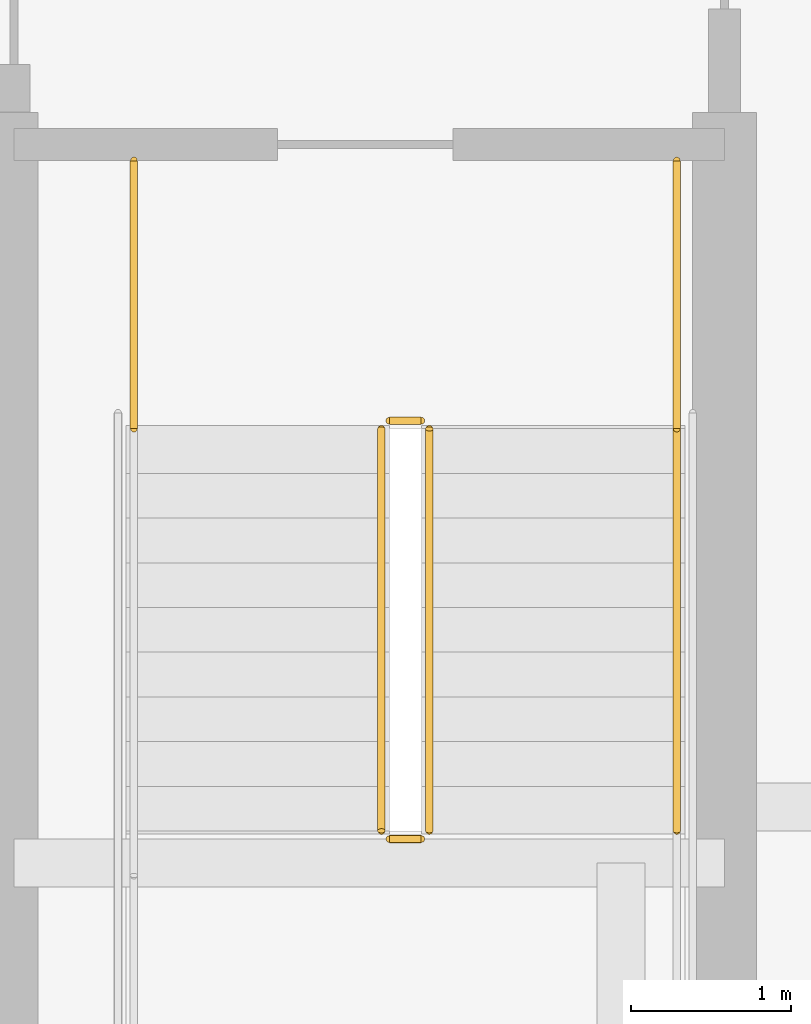
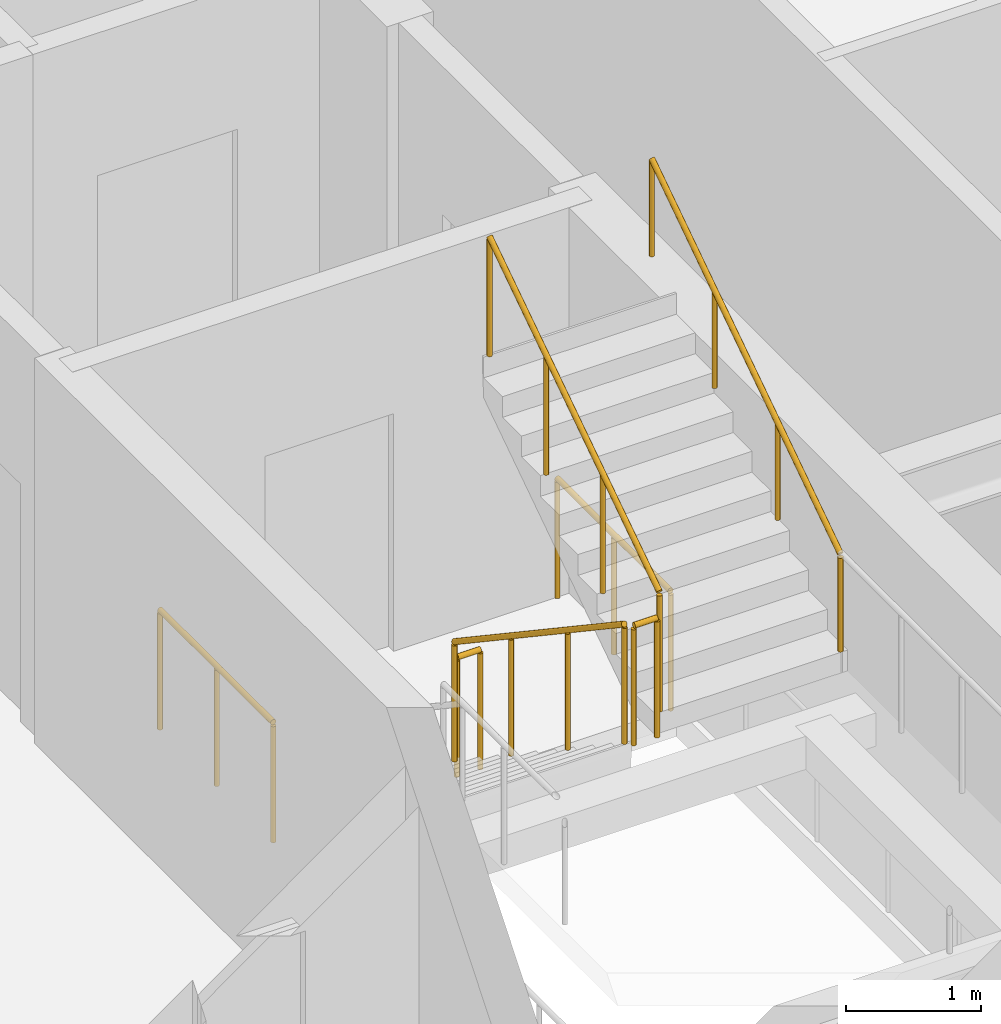
# One storey, part 36 of 37: 7 railings.
"""IFC4 building model written with IfcOpenShell, lengths in metres."""

from ifc_helpers import new_model, si_unit, direction, frame, origin, origin_2d, place, context, subcontext, project, spatial, circle, extrude, material, type_object, element, save


model = new_model("IFC4")

# Units and contexts
model_context = context("Model", 3, precision=1e-05, world=origin(), true_north=direction((0.0, 1.0)))
body_context = subcontext(model_context, "Body", "Model", "MODEL_VIEW")
ifc_project = project(units=[si_unit("LENGTHUNIT", "METRE"), si_unit("AREAUNIT", "SQUARE_METRE"), si_unit("VOLUMEUNIT", "CUBIC_METRE"), si_unit("PLANEANGLEUNIT", "RADIAN"), si_unit("MASSUNIT", "GRAM", prefix="KILO")], contexts=[model_context])

# Site, building, storey
site_placement = place(None, origin())
site = spatial("IfcSite", under=ifc_project, at=site_placement, CompositionType="ELEMENT")
building_placement = place(site_placement, origin())
building = spatial("IfcBuilding", under=site, at=building_placement, Name="Serunith Strait Residences", CompositionType="ELEMENT")
storey_placement = place(building_placement, frame((0.0, 0.0, 153.89990234375)))
storey = spatial("IfcBuildingStorey", under=building, at=storey_placement, Name="L38", CompositionType="ELEMENT", Elevation=153.89990234375)

# Railings
ifc_material = material(Name="Brushed stainless steel 316L", Category="steel")
railing_type_1 = type_object("IfcRailingType", Name="RLG-STAIR-GUARD", PredefinedType="BALUSTRADE", material=ifc_material)
railing_1_placement = place(storey_placement, frame((39.25, 23.3701171875, 0.1875)))
element("IfcRailing", 1, at=railing_1_placement, inside=storey, type_object=railing_type_1, Name="L38 ST-2 stair guard 1", PredefinedType="BALUSTRADE", context=body_context, shape_type="SweptSolid", body=[
    extrude(circle(Radius=0.02392578125, at=origin_2d()), frame((0.0, -0.001708984375, 1.0771484375), z_axis=(0.0, -0.830909170722, 0.55640807867), x_axis=(1.0, 0.0, 0.0)), (0.0, 0.0, 1.0), 3.02880859375),
    extrude(circle(Radius=0.02099609375, at=origin_2d()), origin(), (0.0, 0.0, 1.0), 1.050048828125),
    extrude(circle(Radius=0.02099609375, at=origin_2d()), frame((0.0, -0.840087890625, 0.5625)), (0.0, 0.0, 1.0), 1.050048828125),
    extrude(circle(Radius=0.02099609375, at=origin_2d()), frame((0.0, -1.679931640625, 1.125)), (0.0, 0.0, 1.0), 1.050048828125),
    extrude(circle(Radius=0.02099609375, at=origin_2d()), frame((0.0, -2.52001953125, 1.6875)), (0.0, 0.0, 1.0), 1.050048828125),
])
railing_2_placement = place(storey_placement, frame((39.300048828125, 20.800048828125, 1.875)))
element("IfcRailing", 2, at=railing_2_placement, inside=storey, type_object=railing_type_1, Name="L38 ST-2 stair guard 2", PredefinedType="BALUSTRADE", context=body_context, shape_type="SweptSolid", body=[
    extrude(circle(Radius=0.02392578125, at=origin_2d()), frame((0.001953125, 0.0, 1.076171875), z_axis=(1.0, 0.0, 0.0), x_axis=(0.0, 1.0, 0.0)), (0.0, 0.0, 1.0), 0.196044921875),
    extrude(circle(Radius=0.02099609375, at=origin_2d()), origin(), (0.0, 0.0, 1.0), 1.050048828125),
    extrude(circle(Radius=0.02099609375, at=origin_2d()), frame((0.199951171875, 0.0, 0.0)), (0.0, 0.0, 1.0), 1.050048828125),
])
railing_3_placement = place(storey_placement, frame((39.550048828125, 20.85009765625, 2.0625)))
element("IfcRailing", 3, at=railing_3_placement, inside=storey, type_object=railing_type_1, Name="L38 ST-2 stair guard 6", PredefinedType="BALUSTRADE", context=body_context, shape_type="SweptSolid", body=[
    extrude(circle(Radius=0.02392578125, at=origin_2d()), frame((0.0, 0.001708984375, 1.0771484375), z_axis=(0.0, 0.830909170722, 0.55640807867), x_axis=(-1.0, 0.0, 0.0)), (0.0, 0.0, 1.0), 3.02880859375),
    extrude(circle(Radius=0.02099609375, at=origin_2d()), origin(), (0.0, 0.0, 1.0), 1.050048828125),
    extrude(circle(Radius=0.02099609375, at=origin_2d()), frame((0.0, 0.840087890625, 0.5625)), (0.0, 0.0, 1.0), 1.050048828125),
    extrude(circle(Radius=0.02099609375, at=origin_2d()), frame((0.0, 1.679931640625, 1.125)), (0.0, 0.0, 1.0), 1.050048828125),
    extrude(circle(Radius=0.02099609375, at=origin_2d()), frame((0.0, 2.52001953125, 1.6875)), (0.0, 0.0, 1.0), 1.050048828125),
])
railing_4_placement = place(storey_placement, frame((39.300048828125, 23.419921875, 0.0)))
element("IfcRailing", 4, at=railing_4_placement, inside=storey, type_object=railing_type_1, Name="L38 ST-2 stair guard 7", PredefinedType="BALUSTRADE", context=body_context, shape_type="SweptSolid", body=[
    extrude(circle(Radius=0.02392578125, at=origin_2d()), frame((0.001953125, 0.0, 1.076171875), z_axis=(1.0, 0.0, 0.0), x_axis=(0.0, 1.0, 0.0)), (0.0, 0.0, 1.0), 0.196044921875),
    extrude(circle(Radius=0.02099609375, at=origin_2d()), origin(), (0.0, 0.0, 1.0), 1.050048828125),
    extrude(circle(Radius=0.02099609375, at=origin_2d()), frame((0.199951171875, 0.0, 0.0)), (0.0, 0.0, 1.0), 1.050048828125),
])
for number, where, name in (
    (5, (37.699951171875, 25.050048828125, 0.0), "L38 ST-2 stair guard 8"),
    (6, (41.10009765625, 25.050048828125, 0.0), "L38 ST-2 stair guard 9"),
):
    element("IfcRailing", number, at=place(storey_placement, frame(where)), inside=storey, type_object=railing_type_1, Name=name, PredefinedType="BALUSTRADE", context=body_context, shape_type="SweptSolid", body=[
        extrude(circle(Radius=0.02392578125, at=origin_2d()), frame((0.0, -0.001953125, 1.076171875), z_axis=(0.0, -1.0, 0.0), x_axis=(1.0, 0.0, 0.0)), (0.0, 0.0, 1.0), 1.676025390625),
        extrude(circle(Radius=0.02099609375, at=origin_2d()), origin(), (0.0, 0.0, 1.0), 1.050048828125),
        extrude(circle(Radius=0.02099609375, at=origin_2d()), frame((0.0, -0.83984375, 0.0)), (0.0, 0.0, 1.0), 1.050048828125),
        extrude(circle(Radius=0.02099609375, at=origin_2d()), frame((0.0, -1.679931640625, 0.0)), (0.0, 0.0, 1.0), 1.050048828125),
    ])
railing_type_2 = type_object("IfcRailingType", Name="RLG-STAIR-HR", PredefinedType="HANDRAIL", material=ifc_material)
railing_5_placement = place(storey_placement, frame((41.10009765625, 20.85009765625, 2.0625)))
element("IfcRailing", 7, at=railing_5_placement, inside=storey, type_object=railing_type_2, Name="L38 ST-2 stair handrail 2", PredefinedType="HANDRAIL", context=body_context, shape_type="SweptSolid", body=[
    extrude(circle(Radius=0.02392578125, at=origin_2d()), frame((0.0, 0.001708984375, 0.876953125), z_axis=(0.0, 0.830185712471, 0.557486935101), x_axis=(-1.0, 0.0, 0.0)), (0.0, 0.0, 1.0), 3.368408203125),
    extrude(circle(Radius=0.02099609375, at=origin_2d()), origin(), (0.0, 0.0, 1.0), 0.849853515625),
    extrude(circle(Radius=0.02099609375, at=origin_2d()), frame((0.0, 0.933349609375, 0.626708984375)), (0.0, 0.0, 1.0), 0.849853515625),
    extrude(circle(Radius=0.02099609375, at=origin_2d()), frame((0.0, 1.866455078125, 1.25341796875)), (0.0, 0.0, 1.0), 0.849853515625),
    extrude(circle(Radius=0.02099609375, at=origin_2d()), frame((0.0, 2.7998046875, 1.880126953125)), (0.0, 0.0, 1.0), 0.849853515625),
])

save(model, "model.ifc")
